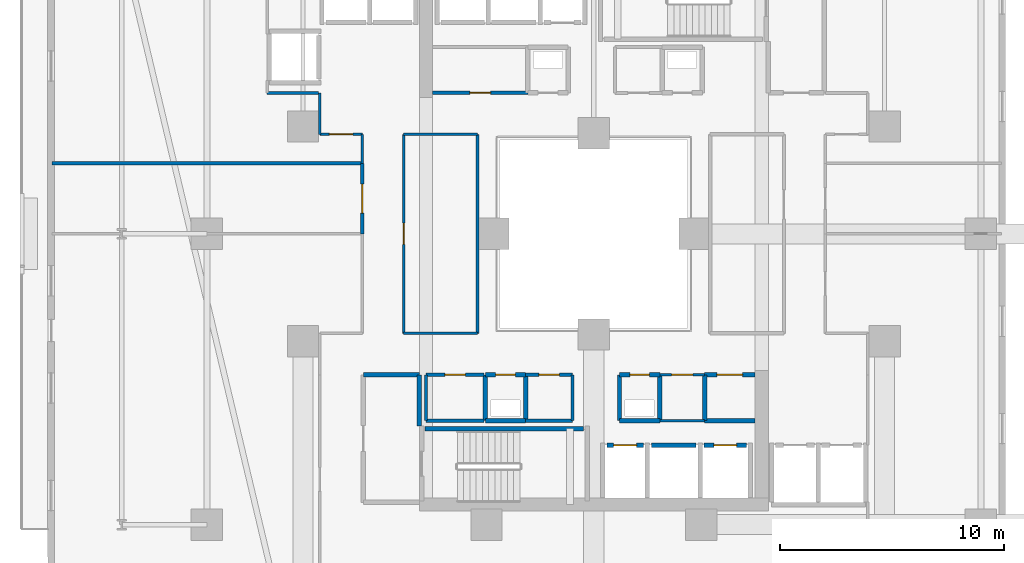
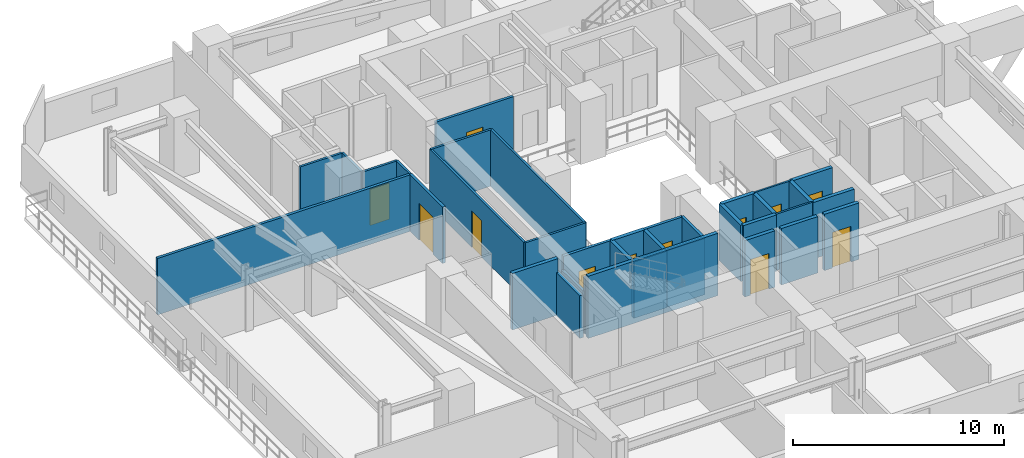
# One storey, part 22 of 36: 36 walls, 12 doors, 12 openings.
"""IFC4 building model written with IfcOpenShell, lengths in metres."""

from ifc_helpers import new_model, si_unit, direction, frame, frame_2d, origin, place, context, subcontext, project, spatial, rectangle, extrude, material, layer, layer_set, type_object, element, fill, save


model = new_model("IFC4")

# Units and contexts
model_context = context("Model", 3, precision=1e-05, world=origin(), true_north=direction((0.0, 1.0)))
body_context = subcontext(model_context, "Body", "Model", "MODEL_VIEW")
ifc_project = project(units=[si_unit("LENGTHUNIT", "METRE"), si_unit("AREAUNIT", "SQUARE_METRE"), si_unit("VOLUMEUNIT", "CUBIC_METRE"), si_unit("PLANEANGLEUNIT", "RADIAN"), si_unit("MASSUNIT", "GRAM", prefix="KILO")], contexts=[model_context])

# Site, building, storey
site_placement = place(None, origin())
site = spatial("IfcSite", under=ifc_project, at=site_placement, CompositionType="ELEMENT")
building_placement = place(site_placement, origin())
building = spatial("IfcBuilding", under=site, at=building_placement, Name="Thornwick Lancets Civic Towers", CompositionType="ELEMENT")
storey_placement = place(building_placement, frame((0.0, 0.0, 45.89990234375)))
storey = spatial("IfcBuildingStorey", under=building, at=storey_placement, Name="L11", CompositionType="ELEMENT", Elevation=45.89990234375)

# Wall, opening, door
ifc_material_1 = material(Name="Concrete blockwork C40/50", Category="masonry")
ifc_layer_1 = layer(ifc_material_1, 0.199951171875, Name="Concrete blockwork C40/50")
ifc_layer_set_1 = layer_set([ifc_layer_1], Name="Concrete blockwork C40/50")
wall_type_1 = type_object("IfcWallType", Name="WALL_COMP_200", PredefinedType="STANDARD", material=ifc_layer_set_1)
wall_1_placement = place(storey_placement, frame((26.080078125, 17.550048828125, 0.0), z_axis=(0.0, 0.0, 1.0), x_axis=(1.0, 0.0, 0.0)))
wall_1 = element("IfcWall", 1, at=wall_1_placement, inside=storey, type_object=wall_type_1, Name="L11 Hoistway Front Wall FL-A1", PredefinedType="STANDARD", context=body_context, shape_type="SweptSolid", body=[
    extrude(rectangle(XDim=1.639892578125, YDim=0.199951171875, at=frame_2d((0.81982421875, 0.0))), origin(), (0.0, 0.0, 1.0), 3.260009765625),
])
opening_1_placement = place(wall_1_placement, frame((0.31005859375, 0.0, 0.0)))
opening_1 = element("IfcOpeningElement", 2, at=opening_1_placement, cuts=wall_1, Name="Opening LD-FL-A1", PredefinedType="OPENING", context=body_context, shape_type="SweptSolid", body=[
    extrude(rectangle(XDim=1.02001953125, YDim=2.06005859375, at=frame_2d((0.510009765625, 1.030029296875))), frame((0.0, 0.10986328125, 0.0), z_axis=(0.0, -1.0, 0.0), x_axis=(1.0, 0.0, 0.0)), (0.0, 0.0, 1.0), 0.219970703125),
])
ifc_material_2 = material(Name="Brushed bronze stainless steel", Category="steel")
door_type_1 = type_object("IfcDoorType", Name="DOOR_LIFT_SLIDE", OperationType="SLIDING_TO_LEFT", PredefinedType="DOOR", material=ifc_material_2)
door_1_placement = place(opening_1_placement, origin())
door_1 = element("IfcDoor", 3, at=door_1_placement, inside=storey, type_object=door_type_1, Name="L11 Sliding Lift Landing Door LD-FL-A1", OperationType="SLIDING_TO_LEFT", OverallHeight=2.06005859375, OverallWidth=1.02001953125, PredefinedType="DOOR", context=body_context, shape_type="SweptSolid", body=[
    extrude(rectangle(XDim=1.02001953125, YDim=2.06005859375, at=frame_2d((0.510009765625, 1.030029296875))), frame((0.0, 0.02490234375, 0.0), z_axis=(0.0, -1.0, 0.0), x_axis=(1.0, 0.0, 0.0)), (0.0, 0.0, 1.0), 0.050048828125),
])
fill(opening_1, door_1)

# Wall
wall_2_placement = place(storey_placement, frame((28.080078125, 17.550048828125, 0.0), z_axis=(0.0, 0.0, 1.0), x_axis=(1.0, 0.0, 0.0)))
element("IfcWall", 4, at=wall_2_placement, inside=storey, type_object=wall_type_1, Name="L11 Hoistway Front Wall PL-AH1", PredefinedType="STANDARD", context=body_context, shape_type="SweptSolid", body=[
    extrude(rectangle(XDim=1.989990234375, YDim=0.199951171875, at=frame_2d((0.9951171875, 0.0))), origin(), (0.0, 0.0, 1.0), 3.260009765625),
])

# Wall, opening, door
wall_3_placement = place(storey_placement, frame((30.429931640625, 17.550048828125, 0.0), z_axis=(0.0, 0.0, 1.0), x_axis=(1.0, 0.0, 0.0)))
wall_3 = element("IfcWall", 5, at=wall_3_placement, inside=storey, type_object=wall_type_1, Name="L11 Hoistway Front Wall PL-AL1", PredefinedType="STANDARD", context=body_context, shape_type="SweptSolid", body=[
    extrude(rectangle(XDim=1.89013671875, YDim=0.199951171875, at=frame_2d((0.945068359375, 0.0))), origin(), (0.0, 0.0, 1.0), 3.260009765625),
])
opening_2_placement = place(wall_3_placement, frame((0.43505859375, 0.0, 0.0)))
opening_2 = element("IfcOpeningElement", 6, at=opening_2_placement, cuts=wall_3, Name="Opening LD-PL-AL1", PredefinedType="OPENING", context=body_context, shape_type="SweptSolid", body=[
    extrude(rectangle(XDim=1.02001953125, YDim=2.06005859375, at=frame_2d((0.510009765625, 1.030029296875))), frame((0.0, 0.10986328125, 0.0), z_axis=(0.0, -1.0, 0.0), x_axis=(1.0, 0.0, 0.0)), (0.0, 0.0, 1.0), 0.219970703125),
])
door_2_placement = place(opening_2_placement, origin())
door_2 = element("IfcDoor", 7, at=door_2_placement, inside=storey, type_object=door_type_1, Name="L11 Sliding Lift Landing Door LD-PL-AL1", OperationType="SLIDING_TO_LEFT", OverallHeight=2.06005859375, OverallWidth=1.02001953125, PredefinedType="DOOR", context=body_context, shape_type="SweptSolid", body=[
    extrude(rectangle(XDim=1.02001953125, YDim=2.06005859375, at=frame_2d((0.510009765625, 1.030029296875))), frame((0.0, 0.02490234375, 0.0), z_axis=(0.0, -1.0, 0.0), x_axis=(1.0, 0.0, 0.0)), (0.0, 0.0, 1.0), 0.050048828125),
])
fill(opening_2, door_2)

# Walls
wall_4_placement = place(storey_placement, frame((17.699951171875, 18.39990234375, 0.0), z_axis=(0.0, 0.0, 1.0), x_axis=(0.0, 1.0, 0.0)))
element("IfcWall", 8, at=wall_4_placement, inside=storey, type_object=wall_type_1, Name="L11 Partition L11-A-FFLOB1 E2", PredefinedType="STANDARD", context=body_context, shape_type="SweptSolid", body=[
    extrude(rectangle(XDim=2.300048828125, YDim=0.199951171875, at=frame_2d((1.14990234375, 0.0))), origin(), (0.0, 0.0, 1.0), 2.465087890625),
])
wall_5_placement = place(storey_placement, frame((17.699951171875, 20.699951171875, 0.0), z_axis=(0.0, 0.0, 1.0), x_axis=(-1.0, 0.0, 0.0)))
element("IfcWall", 9, at=wall_5_placement, inside=storey, type_object=wall_type_1, Name="L11 Partition L11-A-FFLOB1 E3", PredefinedType="STANDARD", context=body_context, shape_type="SweptSolid", body=[
    extrude(rectangle(XDim=2.5, YDim=0.199951171875, at=frame_2d((1.25, 0.0))), origin(), (0.0, 0.0, 1.0), 3.260009765625),
])
wall_6_placement = place(storey_placement, frame((26.64990234375, 18.64990234375, 0.0), z_axis=(0.0, 0.0, 1.0), x_axis=(1.0, 0.0, 0.0)))
element("IfcWall", 10, at=wall_6_placement, inside=storey, type_object=wall_type_1, Name="L11 Partition L11-A-DUCT1 E1", PredefinedType="STANDARD", context=body_context, shape_type="SweptSolid", body=[
    extrude(rectangle(XDim=1.800048828125, YDim=0.199951171875, at=frame_2d((0.89990234375, 0.0))), origin(), (0.0, 0.0, 1.0), 3.260009765625),
])
wall_7_placement = place(storey_placement, frame((28.449951171875, 18.64990234375, 0.0), z_axis=(0.0, 0.0, 1.0), x_axis=(0.0, 1.0, 0.0)))
element("IfcWall", 11, at=wall_7_placement, inside=storey, type_object=wall_type_1, Name="L11 Partition L11-A-DUCT1 E2", PredefinedType="STANDARD", context=body_context, shape_type="SweptSolid", body=[
    extrude(rectangle(XDim=2.050048828125, YDim=0.199951171875, at=frame_2d((1.02490234375, 0.0))), origin(), (0.0, 0.0, 1.0), 3.260009765625),
])

# Wall, opening, door
wall_8_placement = place(storey_placement, frame((28.449951171875, 20.699951171875, 0.0), z_axis=(0.0, 0.0, 1.0), x_axis=(-1.0, 0.0, 0.0)))
wall_8 = element("IfcWall", 12, at=wall_8_placement, inside=storey, type_object=wall_type_1, Name="L11 Partition L11-A-DUCT1 E3", PredefinedType="STANDARD", context=body_context, shape_type="SweptSolid", body=[
    extrude(rectangle(XDim=1.800048828125, YDim=0.199951171875, at=frame_2d((0.89990234375, 0.0))), origin(), (0.0, 0.0, 1.0), 3.260009765625),
])
opening_3_placement = place(wall_8_placement, frame((0.4599609375, 0.0, 0.0)))
opening_3 = element("IfcOpeningElement", 13, at=opening_3_placement, cuts=wall_8, Name="Opening D-L11-0539", PredefinedType="OPENING", context=body_context, shape_type="SweptSolid", body=[
    extrude(rectangle(XDim=0.8798828125, YDim=2.0400390625, at=frame_2d((0.43994140625, 1.02001953125))), frame((0.0, 0.10986328125, 0.0), z_axis=(0.0, -1.0, 0.0), x_axis=(1.0, 0.0, 0.0)), (0.0, 0.0, 1.0), 0.219970703125),
])
ifc_material_3 = material(Name="Steel riser access doorset", Category="steel")
door_type_2 = type_object("IfcDoorType", Name="DOOR_RISER_850", OperationType="NOTDEFINED", PredefinedType="DOOR", material=ifc_material_3)
door_3_placement = place(opening_3_placement, origin())
door_3 = element("IfcDoor", 14, at=door_3_placement, inside=storey, type_object=door_type_2, Name="L11 South Service Duct 1 Door", OperationType="SINGLE_SWING_RIGHT", OverallHeight=2.0400390625, OverallWidth=0.8798828125, PredefinedType="DOOR", context=body_context, shape_type="SweptSolid", body=[
    extrude(rectangle(XDim=0.8798828125, YDim=2.0400390625, at=frame_2d((0.43994140625, 1.02001953125))), frame((0.0, 0.02490234375, 0.0), z_axis=(0.0, -1.0, 0.0), x_axis=(1.0, 0.0, 0.0)), (0.0, 0.0, 1.0), 0.050048828125),
])
fill(opening_3, door_3)

# Walls
wall_9_placement = place(storey_placement, frame((26.64990234375, 20.699951171875, 0.0), z_axis=(0.0, 0.0, 1.0), x_axis=(0.0, -1.0, 0.0)))
element("IfcWall", 15, at=wall_9_placement, inside=storey, type_object=wall_type_1, Name="L11 Partition L11-A-DUCT1 E4", PredefinedType="STANDARD", context=body_context, shape_type="SweptSolid", body=[
    extrude(rectangle(XDim=2.050048828125, YDim=0.199951171875, at=frame_2d((1.02490234375, 0.0))), origin(), (0.0, 0.0, 1.0), 3.260009765625),
])
wall_10_placement = place(storey_placement, frame((20.64990234375, 18.64990234375, 0.0), z_axis=(0.0, 0.0, 1.0), x_axis=(1.0, 0.0, 0.0)))
element("IfcWall", 16, at=wall_10_placement, inside=storey, type_object=wall_type_1, Name="L11 Partition L11-A-RISER1 E1", PredefinedType="STANDARD", context=body_context, shape_type="SweptSolid", body=[
    extrude(rectangle(XDim=1.800048828125, YDim=0.199951171875, at=frame_2d((0.89990234375, 0.0))), origin(), (0.0, 0.0, 1.0), 3.260009765625),
])
wall_11_placement = place(storey_placement, frame((22.449951171875, 18.64990234375, 0.0), z_axis=(0.0, 0.0, 1.0), x_axis=(0.0, 1.0, 0.0)))
element("IfcWall", 17, at=wall_11_placement, inside=storey, type_object=wall_type_1, Name="L11 Partition L11-A-RISER1 E2", PredefinedType="STANDARD", context=body_context, shape_type="SweptSolid", body=[
    extrude(rectangle(XDim=2.050048828125, YDim=0.199951171875, at=frame_2d((1.02490234375, 0.0))), origin(), (0.0, 0.0, 1.0), 3.260009765625),
])

# Wall, opening, door
wall_12_placement = place(storey_placement, frame((22.449951171875, 20.699951171875, 0.0), z_axis=(0.0, 0.0, 1.0), x_axis=(-1.0, 0.0, 0.0)))
wall_12 = element("IfcWall", 18, at=wall_12_placement, inside=storey, type_object=wall_type_1, Name="L11 Partition L11-A-RISER1 E3", PredefinedType="STANDARD", context=body_context, shape_type="SweptSolid", body=[
    extrude(rectangle(XDim=1.800048828125, YDim=0.199951171875, at=frame_2d((0.89990234375, 0.0))), origin(), (0.0, 0.0, 1.0), 3.260009765625),
])
opening_4_placement = place(wall_12_placement, frame((0.4599609375, 0.0, 0.0)))
opening_4 = element("IfcOpeningElement", 19, at=opening_4_placement, cuts=wall_12, Name="Opening D-L11-0540", PredefinedType="OPENING", context=body_context, shape_type="SweptSolid", body=[
    extrude(rectangle(XDim=0.8798828125, YDim=2.0400390625, at=frame_2d((0.43994140625, 1.02001953125))), frame((0.0, 0.10986328125, 0.0), z_axis=(0.0, -1.0, 0.0), x_axis=(1.0, 0.0, 0.0)), (0.0, 0.0, 1.0), 0.219970703125),
])
door_4_placement = place(opening_4_placement, origin())
door_4 = element("IfcDoor", 20, at=door_4_placement, inside=storey, type_object=door_type_2, Name="L11 South Electrical Riser 1 Door", OperationType="SINGLE_SWING_LEFT", OverallHeight=2.0400390625, OverallWidth=0.8798828125, PredefinedType="DOOR", context=body_context, shape_type="SweptSolid", body=[
    extrude(rectangle(XDim=0.8798828125, YDim=2.0400390625, at=frame_2d((0.43994140625, 1.02001953125))), frame((0.0, 0.02490234375, 0.0), z_axis=(0.0, -1.0, 0.0), x_axis=(1.0, 0.0, 0.0)), (0.0, 0.0, 1.0), 0.050048828125),
])
fill(opening_4, door_4)

# Walls
wall_13_placement = place(storey_placement, frame((20.64990234375, 20.699951171875, 0.0), z_axis=(0.0, 0.0, 1.0), x_axis=(0.0, -1.0, 0.0)))
element("IfcWall", 21, at=wall_13_placement, inside=storey, type_object=wall_type_1, Name="L11 Partition L11-A-RISER1 E4", PredefinedType="STANDARD", context=body_context, shape_type="SweptSolid", body=[
    extrude(rectangle(XDim=2.050048828125, YDim=0.199951171875, at=frame_2d((1.02490234375, 0.0))), origin(), (0.0, 0.0, 1.0), 3.260009765625),
])
wall_14_placement = place(storey_placement, frame((32.699951171875, 18.64990234375, 0.0), z_axis=(0.0, 0.0, 1.0), x_axis=(-1.0, 0.0, 0.0)))
element("IfcWall", 22, at=wall_14_placement, inside=storey, type_object=wall_type_1, Name="L11 Partition L11-A-ITR2 E2", PredefinedType="STANDARD", context=body_context, shape_type="SweptSolid", body=[
    extrude(rectangle(XDim=2.25, YDim=0.199951171875, at=frame_2d((1.125, 0.0))), origin(), (0.0, 0.0, 1.0), 3.260009765625),
])
wall_15_placement = place(storey_placement, frame((30.449951171875, 18.64990234375, 0.0), z_axis=(0.0, 0.0, 1.0), x_axis=(0.0, 1.0, 0.0)))
element("IfcWall", 23, at=wall_15_placement, inside=storey, type_object=wall_type_1, Name="L11 Partition L11-A-ITR2 E3", PredefinedType="STANDARD", context=body_context, shape_type="SweptSolid", body=[
    extrude(rectangle(XDim=2.050048828125, YDim=0.199951171875, at=frame_2d((1.02490234375, 0.0))), origin(), (0.0, 0.0, 1.0), 3.260009765625),
])

# Wall, opening, door
wall_16_placement = place(storey_placement, frame((30.449951171875, 20.699951171875, 0.0), z_axis=(0.0, 0.0, 1.0), x_axis=(1.0, 0.0, 0.0)))
wall_16 = element("IfcWall", 24, at=wall_16_placement, inside=storey, type_object=wall_type_1, Name="L11 Partition L11-A-ITR2 E4", PredefinedType="STANDARD", context=body_context, shape_type="SweptSolid", body=[
    extrude(rectangle(XDim=2.25, YDim=0.199951171875, at=frame_2d((1.125, 0.0))), origin(), (0.0, 0.0, 1.0), 3.260009765625),
])
opening_5_placement = place(wall_16_placement, frame((0.550048828125, 0.0, 0.0)))
opening_5 = element("IfcOpeningElement", 25, at=opening_5_placement, cuts=wall_16, Name="Opening D-L11-0546", PredefinedType="OPENING", context=body_context, shape_type="SweptSolid", body=[
    extrude(rectangle(XDim=1.14990234375, YDim=2.10009765625, at=frame_2d((0.574951171875, 1.050048828125))), frame((0.0, 0.10986328125, 0.0), z_axis=(0.0, -1.0, 0.0), x_axis=(1.0, 0.0, 0.0)), (0.0, 0.0, 1.0), 0.219970703125),
])
ifc_material_4 = material(Name="Glazed fire-resisting steel", Category="steel")
door_type_3 = type_object("IfcDoorType", Name="DOOR_LOBBY_FD60", OperationType="NOTDEFINED", PredefinedType="DOOR", material=ifc_material_4)
door_5_placement = place(opening_5_placement, origin())
door_5 = element("IfcDoor", 26, at=door_5_placement, inside=storey, type_object=door_type_3, Name="L11 Tower A Statutory Core Archive Door", OperationType="SINGLE_SWING_LEFT", OverallHeight=2.10009765625, OverallWidth=1.14990234375, PredefinedType="DOOR", context=body_context, shape_type="SweptSolid", body=[
    extrude(rectangle(XDim=1.14990234375, YDim=2.10009765625, at=frame_2d((0.574951171875, 1.050048828125))), frame((0.0, 0.02490234375, 0.0), z_axis=(0.0, -1.0, 0.0), x_axis=(1.0, 0.0, 0.0)), (0.0, 0.0, 1.0), 0.050048828125),
])
fill(opening_5, door_5)

# Wall
ifc_material_5 = material(Name="Lightweight cellular office partition")
ifc_layer_2 = layer(ifc_material_5, 0.10009765625, Name="Lightweight cellular office partition")
ifc_layer_set_2 = layer_set([ifc_layer_2], Name="Lightweight cellular office partition")
wall_type_2 = type_object("IfcWallType", Name="WALL_PART_100", PredefinedType="PARTITIONING", material=ifc_layer_set_2)
wall_17_placement = place(storey_placement, frame((30.449951171875, 18.64990234375, 0.0), z_axis=(0.0, 0.0, 1.0), x_axis=(-1.0, 0.0, 0.0)))
element("IfcWall", 27, at=wall_17_placement, inside=storey, type_object=wall_type_2, Name="L11 Partition L11-A-CLN E2", PredefinedType="PARTITIONING", context=body_context, shape_type="SweptSolid", body=[
    extrude(rectangle(XDim=2.0, YDim=0.10009765625, at=frame_2d((1.0, 0.0))), origin(), (0.0, 0.0, 1.0), 3.260009765625),
])

# Wall, opening, door
wall_18_placement = place(storey_placement, frame((28.449951171875, 20.699951171875, 0.0), z_axis=(0.0, 0.0, 1.0), x_axis=(1.0, 0.0, 0.0)))
wall_18 = element("IfcWall", 28, at=wall_18_placement, inside=storey, type_object=wall_type_2, Name="L11 Partition L11-A-CLN E4", PredefinedType="PARTITIONING", context=body_context, shape_type="SweptSolid", body=[
    extrude(rectangle(XDim=2.0, YDim=0.10009765625, at=frame_2d((1.0, 0.0))), origin(), (0.0, 0.0, 1.0), 3.260009765625),
])
opening_6_placement = place(wall_18_placement, frame((0.52490234375, 0.0, 0.0)))
opening_6 = element("IfcOpeningElement", 29, at=opening_6_placement, cuts=wall_18, Name="Opening D-L11-0545", PredefinedType="OPENING", context=body_context, shape_type="SweptSolid", body=[
    extrude(rectangle(XDim=0.949951171875, YDim=2.10009765625, at=frame_2d((0.47509765625, 1.050048828125))), frame((0.0, 0.06005859375, 0.0), z_axis=(0.0, -1.0, 0.0), x_axis=(1.0, 0.0, 0.0)), (0.0, 0.0, 1.0), 0.1201171875),
])
ifc_material_6 = material(Name="European oak acoustic doorset")
door_type_4 = type_object("IfcDoorType", Name="DOOR_OFFICE_950", OperationType="NOTDEFINED", PredefinedType="DOOR", material=ifc_material_6)
door_6_placement = place(opening_6_placement, origin())
door_6 = element("IfcDoor", 30, at=door_6_placement, inside=storey, type_object=door_type_4, Name="L11 Tower A Cleaners Store Door", OperationType="SINGLE_SWING_RIGHT", OverallHeight=2.10009765625, OverallWidth=0.949951171875, PredefinedType="DOOR", context=body_context, shape_type="SweptSolid", body=[
    extrude(rectangle(XDim=0.949951171875, YDim=2.10009765625, at=frame_2d((0.47509765625, 1.050048828125))), frame((0.0, 0.02490234375, 0.0), z_axis=(0.0, -1.0, 0.0), x_axis=(1.0, 0.0, 0.0)), (0.0, 0.0, 1.0), 0.050048828125),
])
fill(opening_6, door_6)

# Wall
ifc_material_7 = material(Name="Acoustic gypsum board partition")
ifc_layer_3 = layer(ifc_material_7, 0.1201171875, Name="Acoustic gypsum board partition")
ifc_layer_set_3 = layer_set([ifc_layer_3], Name="Acoustic gypsum board partition")
wall_type_3 = type_object("IfcWallType", Name="WALL_PART_120", PredefinedType="PARTITIONING", material=ifc_layer_set_3)
wall_19_placement = place(storey_placement, frame((13.25, 33.300048828125, 0.0), z_axis=(0.0, 0.0, 1.0), x_axis=(0.0, -1.0, 0.0)))
element("IfcWall", 31, at=wall_19_placement, inside=storey, type_object=wall_type_3, Name="L11 Partition L11-A-W3 E2", PredefinedType="PARTITIONING", context=body_context, shape_type="SweptSolid", body=[
    extrude(rectangle(XDim=1.85009765625, YDim=0.1201171875, at=frame_2d((0.925048828125, 0.0))), origin(), (0.0, 0.0, 1.0), 3.260009765625),
])

# Wall, opening, door
wall_20_placement = place(storey_placement, frame((13.25, 31.449951171875, 0.0), z_axis=(0.0, 0.0, 1.0), x_axis=(1.0, 0.0, 0.0)))
wall_20 = element("IfcWall", 32, at=wall_20_placement, inside=storey, type_object=wall_type_3, Name="L11 Partition L11-A-W3 E3", PredefinedType="PARTITIONING", context=body_context, shape_type="SweptSolid", body=[
    extrude(rectangle(XDim=1.89990234375, YDim=0.1201171875, at=frame_2d((0.949951171875, 0.0))), origin(), (0.0, 0.0, 1.0), 3.260009765625),
])
opening_7_placement = place(wall_20_placement, frame((0.425048828125, 0.0, 0.0)))
opening_7 = element("IfcOpeningElement", 33, at=opening_7_placement, cuts=wall_20, Name="Opening D-L11-0563", PredefinedType="OPENING", context=body_context, shape_type="SweptSolid", body=[
    extrude(rectangle(XDim=1.050048828125, YDim=2.10009765625, at=frame_2d((0.52490234375, 1.050048828125))), frame((0.0, 0.070068359375, 0.0), z_axis=(0.0, -1.0, 0.0), x_axis=(1.0, 0.0, 0.0)), (0.0, 0.0, 1.0), 0.14013671875),
])
ifc_material_8 = material(Name="Glazed European oak executive doorset")
door_type_5 = type_object("IfcDoorType", Name="DOOR_OFFICE_1050", OperationType="NOTDEFINED", PredefinedType="DOOR", material=ifc_material_8)
door_7_placement = place(opening_7_placement, origin())
door_7 = element("IfcDoor", 34, at=door_7_placement, inside=storey, type_object=door_type_5, Name="L11 Tower A Staff Tea Pantry and Lounge Door", OperationType="SINGLE_SWING_RIGHT", OverallHeight=2.10009765625, OverallWidth=1.050048828125, PredefinedType="DOOR", context=body_context, shape_type="SweptSolid", body=[
    extrude(rectangle(XDim=1.050048828125, YDim=2.10009765625, at=frame_2d((0.52490234375, 1.050048828125))), frame((0.0, 0.02490234375, 0.0), z_axis=(0.0, -1.0, 0.0), x_axis=(1.0, 0.0, 0.0)), (0.0, 0.0, 1.0), 0.050048828125),
])
fill(opening_7, door_7)

# Walls
wall_21_placement = place(storey_placement, frame((15.14990234375, 31.449951171875, 0.0), z_axis=(0.0, 0.0, 1.0), x_axis=(0.0, -1.0, 0.0)))
element("IfcWall", 35, at=wall_21_placement, inside=storey, type_object=wall_type_3, Name="L11 Partition L11-A-W3 E4", PredefinedType="PARTITIONING", context=body_context, shape_type="SweptSolid", body=[
    extrude(rectangle(XDim=1.300048828125, YDim=0.1201171875, at=frame_2d((0.64990234375, 0.0))), origin(), (0.0, 0.0, 1.0), 3.260009765625),
])
wall_22_placement = place(storey_placement, frame((10.89990234375, 33.300048828125, 0.0), z_axis=(0.0, 0.0, 1.0), x_axis=(1.0, 0.0, 0.0)))
element("IfcWall", 36, at=wall_22_placement, inside=storey, type_object=wall_type_3, Name="L11 Partition L11-A-W3 E10", PredefinedType="PARTITIONING", context=body_context, shape_type="SweptSolid", body=[
    extrude(rectangle(XDim=2.300048828125, YDim=0.1201171875, at=frame_2d((1.14990234375, 0.0))), origin(), (0.0, 0.0, 1.0), 3.260009765625),
])

# Wall, opening, door
wall_23_placement = place(storey_placement, frame((17.0, 22.550048828125, 0.0), z_axis=(0.0, 0.0, 1.0), x_axis=(0.0, 1.0, 0.0)))
wall_23 = element("IfcWall", 37, at=wall_23_placement, inside=storey, type_object=wall_type_3, Name="L11 Partition L11-A-ATR-W E1", PredefinedType="PARTITIONING", context=body_context, shape_type="SweptSolid", body=[
    extrude(rectangle(XDim=8.89990234375, YDim=0.1201171875, at=frame_2d((4.449951171875, 0.0))), origin(), (0.0, 0.0, 1.0), 3.260009765625),
])
opening_8_placement = place(wall_23_placement, frame((3.97509765625, 0.0, 0.0)))
opening_8 = element("IfcOpeningElement", 38, at=opening_8_placement, cuts=wall_23, Name="Opening D-L11-0568", PredefinedType="OPENING", context=body_context, shape_type="SweptSolid", body=[
    extrude(rectangle(XDim=0.949951171875, YDim=2.10009765625, at=frame_2d((0.47509765625, 1.050048828125))), frame((0.0, 0.070068359375, 0.0), z_axis=(0.0, -1.0, 0.0), x_axis=(1.0, 0.0, 0.0)), (0.0, 0.0, 1.0), 0.14013671875),
])
door_8_placement = place(opening_8_placement, origin())
door_8 = element("IfcDoor", 39, at=door_8_placement, inside=storey, type_object=door_type_4, Name="L11 Tower A West Atrium Study Lounge Door", OperationType="SINGLE_SWING_LEFT", OverallHeight=2.10009765625, OverallWidth=0.949951171875, PredefinedType="DOOR", context=body_context, shape_type="SweptSolid", body=[
    extrude(rectangle(XDim=0.949951171875, YDim=2.10009765625, at=frame_2d((0.47509765625, 1.050048828125))), frame((0.0, 0.02490234375, 0.0), z_axis=(0.0, -1.0, 0.0), x_axis=(1.0, 0.0, 0.0)), (0.0, 0.0, 1.0), 0.050048828125),
])
fill(opening_8, door_8)

# Walls
wall_24_placement = place(storey_placement, frame((17.0, 31.449951171875, 0.0), z_axis=(0.0, 0.0, 1.0), x_axis=(1.0, 0.0, 0.0)))
element("IfcWall", 40, at=wall_24_placement, inside=storey, type_object=wall_type_3, Name="L11 Partition L11-A-ATR-W E2", PredefinedType="PARTITIONING", context=body_context, shape_type="SweptSolid", body=[
    extrude(rectangle(XDim=3.300048828125, YDim=0.1201171875, at=frame_2d((1.64990234375, 0.0))), origin(), (0.0, 0.0, 1.0), 3.260009765625),
])
wall_25_placement = place(storey_placement, frame((20.300048828125, 31.449951171875, 0.0), z_axis=(0.0, 0.0, 1.0), x_axis=(0.0, -1.0, 0.0)))
element("IfcWall", 41, at=wall_25_placement, inside=storey, type_object=wall_type_3, Name="L11 Partition L11-A-ATR-W E3", PredefinedType="PARTITIONING", context=body_context, shape_type="SweptSolid", body=[
    extrude(rectangle(XDim=8.89990234375, YDim=0.1201171875, at=frame_2d((4.449951171875, 0.0))), origin(), (0.0, 0.0, 1.0), 3.260009765625),
])
wall_26_placement = place(storey_placement, frame((20.300048828125, 22.550048828125, 0.0), z_axis=(0.0, 0.0, 1.0), x_axis=(-1.0, 0.0, 0.0)))
element("IfcWall", 42, at=wall_26_placement, inside=storey, type_object=wall_type_3, Name="L11 Partition L11-A-ATR-W E4", PredefinedType="PARTITIONING", context=body_context, shape_type="SweptSolid", body=[
    extrude(rectangle(XDim=3.300048828125, YDim=0.1201171875, at=frame_2d((1.64990234375, 0.0))), origin(), (0.0, 0.0, 1.0), 3.260009765625),
])
ifc_material_9 = material(Name="Twin-stud acoustic gypsum board")
ifc_layer_4 = layer(ifc_material_9, 0.14990234375, Name="Twin-stud acoustic gypsum board")
ifc_layer_set_4 = layer_set([ifc_layer_4], Name="Twin-stud acoustic gypsum board")
wall_type_4 = type_object("IfcWallType", Name="WALL_PART_150", PredefinedType="PARTITIONING", material=ifc_layer_set_4)
wall_27_placement = place(storey_placement, frame((18.0, 18.64990234375, 0.0), z_axis=(0.0, 0.0, 1.0), x_axis=(1.0, 0.0, 0.0)))
element("IfcWall", 43, at=wall_27_placement, inside=storey, type_object=wall_type_4, Name="L11 Partition L11-A-MWC E1", PredefinedType="PARTITIONING", context=body_context, shape_type="SweptSolid", body=[
    extrude(rectangle(XDim=2.60009765625, YDim=0.14990234375, at=frame_2d((1.300048828125, 0.0))), origin(), (0.0, 0.0, 1.0), 3.260009765625),
])

# Wall, opening, door
wall_28_placement = place(storey_placement, frame((20.60009765625, 20.699951171875, 0.0), z_axis=(0.0, 0.0, 1.0), x_axis=(-1.0, 0.0, 0.0)))
wall_28 = element("IfcWall", 44, at=wall_28_placement, inside=storey, type_object=wall_type_4, Name="L11 Partition L11-A-MWC E3", PredefinedType="PARTITIONING", context=body_context, shape_type="SweptSolid", body=[
    extrude(rectangle(XDim=2.60009765625, YDim=0.14990234375, at=frame_2d((1.300048828125, 0.0))), origin(), (0.0, 0.0, 1.0), 3.260009765625),
])
opening_9_placement = place(wall_28_placement, frame((0.840087890625, 0.0, 0.0)))
opening_9 = element("IfcOpeningElement", 45, at=opening_9_placement, cuts=wall_28, Name="Opening D-L11-0543", PredefinedType="OPENING", context=body_context, shape_type="SweptSolid", body=[
    extrude(rectangle(XDim=0.919921875, YDim=2.080078125, at=frame_2d((0.4599609375, 1.0400390625))), frame((0.0, 0.0849609375, 0.0), z_axis=(0.0, -1.0, 0.0), x_axis=(1.0, 0.0, 0.0)), (0.0, 0.0, 1.0), 0.169921875),
])
ifc_material_10 = material(Name="Moisture-resistant oak doorset")
door_type_6 = type_object("IfcDoorType", Name="DOOR_WC_900", OperationType="NOTDEFINED", PredefinedType="DOOR", material=ifc_material_10)
door_9_placement = place(opening_9_placement, origin())
door_9 = element("IfcDoor", 46, at=door_9_placement, inside=storey, type_object=door_type_6, Name="L11 Tower A Male WC Door", OperationType="SINGLE_SWING_RIGHT", OverallHeight=2.080078125, OverallWidth=0.919921875, PredefinedType="DOOR", context=body_context, shape_type="SweptSolid", body=[
    extrude(rectangle(XDim=0.919921875, YDim=2.080078125, at=frame_2d((0.4599609375, 1.0400390625))), frame((0.0, 0.02490234375, 0.0), z_axis=(0.0, -1.0, 0.0), x_axis=(1.0, 0.0, 0.0)), (0.0, 0.0, 1.0), 0.050048828125),
])
fill(opening_9, door_9)

# Walls
wall_29_placement = place(storey_placement, frame((18.0, 20.699951171875, 0.0), z_axis=(0.0, 0.0, 1.0), x_axis=(0.0, -1.0, 0.0)))
element("IfcWall", 47, at=wall_29_placement, inside=storey, type_object=wall_type_4, Name="L11 Partition L11-A-MWC E4", PredefinedType="PARTITIONING", context=body_context, shape_type="SweptSolid", body=[
    extrude(rectangle(XDim=2.050048828125, YDim=0.14990234375, at=frame_2d((1.02490234375, 0.0))), origin(), (0.0, 0.0, 1.0), 2.465087890625),
])
wall_30_placement = place(storey_placement, frame((24.550048828125, 20.699951171875, 0.0), z_axis=(0.0, 0.0, 1.0), x_axis=(0.0, -1.0, 0.0)))
element("IfcWall", 48, at=wall_30_placement, inside=storey, type_object=wall_type_4, Name="L11 Partition L11-A-AWC E1", PredefinedType="PARTITIONING", context=body_context, shape_type="SweptSolid", body=[
    extrude(rectangle(XDim=2.050048828125, YDim=0.14990234375, at=frame_2d((1.02490234375, 0.0))), origin(), (0.0, 0.0, 1.0), 3.260009765625),
])
wall_31_placement = place(storey_placement, frame((24.550048828125, 18.64990234375, 0.0), z_axis=(0.0, 0.0, 1.0), x_axis=(-1.0, 0.0, 0.0)))
element("IfcWall", 49, at=wall_31_placement, inside=storey, type_object=wall_type_4, Name="L11 Partition L11-A-AWC E2", PredefinedType="PARTITIONING", context=body_context, shape_type="SweptSolid", body=[
    extrude(rectangle(XDim=2.10009765625, YDim=0.14990234375, at=frame_2d((1.050048828125, 0.0))), origin(), (0.0, 0.0, 1.0), 3.260009765625),
])

# Wall, opening, door
wall_32_placement = place(storey_placement, frame((22.449951171875, 20.699951171875, 0.0), z_axis=(0.0, 0.0, 1.0), x_axis=(1.0, 0.0, 0.0)))
wall_32 = element("IfcWall", 50, at=wall_32_placement, inside=storey, type_object=wall_type_4, Name="L11 Partition L11-A-AWC E4", PredefinedType="PARTITIONING", context=body_context, shape_type="SweptSolid", body=[
    extrude(rectangle(XDim=2.10009765625, YDim=0.14990234375, at=frame_2d((1.050048828125, 0.0))), origin(), (0.0, 0.0, 1.0), 3.260009765625),
])
opening_10_placement = place(wall_32_placement, frame((0.590087890625, 0.0, 0.0)))
opening_10 = element("IfcOpeningElement", 51, at=opening_10_placement, cuts=wall_32, Name="Opening D-L11-0544", PredefinedType="OPENING", context=body_context, shape_type="SweptSolid", body=[
    extrude(rectangle(XDim=0.919921875, YDim=2.080078125, at=frame_2d((0.4599609375, 1.0400390625))), frame((0.0, 0.0849609375, 0.0), z_axis=(0.0, -1.0, 0.0), x_axis=(1.0, 0.0, 0.0)), (0.0, 0.0, 1.0), 0.169921875),
])
door_10_placement = place(opening_10_placement, origin())
door_10 = element("IfcDoor", 52, at=door_10_placement, inside=storey, type_object=door_type_6, Name="L11 Tower A Accessible WC Door", OperationType="SINGLE_SWING_LEFT", OverallHeight=2.080078125, OverallWidth=0.919921875, PredefinedType="DOOR", context=body_context, shape_type="SweptSolid", body=[
    extrude(rectangle(XDim=0.919921875, YDim=2.080078125, at=frame_2d((0.4599609375, 1.0400390625))), frame((0.0, 0.02490234375, 0.0), z_axis=(0.0, -1.0, 0.0), x_axis=(1.0, 0.0, 0.0)), (0.0, 0.0, 1.0), 0.050048828125),
])
fill(opening_10, door_10)

wall_33_placement = place(storey_placement, frame((22.550048828125, 33.300048828125, 0.0), z_axis=(0.0, 0.0, 1.0), x_axis=(-1.0, 0.0, 0.0)))
wall_33 = element("IfcWall", 53, at=wall_33_placement, inside=storey, type_object=wall_type_4, Name="L11 Partition L11-A-FWC E4", PredefinedType="PARTITIONING", context=body_context, shape_type="SweptSolid", body=[
    extrude(rectangle(XDim=4.25, YDim=0.14990234375, at=frame_2d((2.125, 0.0))), origin(), (0.0, 0.0, 1.0), 3.260009765625),
])
opening_11_placement = place(wall_33_placement, frame((1.6650390625, 0.0, 0.0)))
opening_11 = element("IfcOpeningElement", 54, at=opening_11_placement, cuts=wall_33, Name="Opening D-L11-0547", PredefinedType="OPENING", context=body_context, shape_type="SweptSolid", body=[
    extrude(rectangle(XDim=0.919921875, YDim=2.080078125, at=frame_2d((0.4599609375, 1.0400390625))), frame((0.0, 0.0849609375, 0.0), z_axis=(0.0, -1.0, 0.0), x_axis=(1.0, 0.0, 0.0)), (0.0, 0.0, 1.0), 0.169921875),
])
door_11_placement = place(opening_11_placement, origin())
door_11 = element("IfcDoor", 55, at=door_11_placement, inside=storey, type_object=door_type_6, Name="L11 Tower A Female WC Door", OperationType="SINGLE_SWING_RIGHT", OverallHeight=2.080078125, OverallWidth=0.919921875, PredefinedType="DOOR", context=body_context, shape_type="SweptSolid", body=[
    extrude(rectangle(XDim=0.919921875, YDim=2.080078125, at=frame_2d((0.4599609375, 1.0400390625))), frame((0.0, 0.02490234375, 0.0), z_axis=(0.0, -1.0, 0.0), x_axis=(1.0, 0.0, 0.0)), (0.0, 0.0, 1.0), 0.050048828125),
])
fill(opening_11, door_11)

# Wall
wall_34_placement = place(storey_placement, frame((1.280029296875, 30.14990234375, 0.0), z_axis=(0.0, 0.0, 1.0), x_axis=(1.0, 0.0, 0.0)))
element("IfcWall", 56, at=wall_34_placement, inside=storey, type_object=wall_type_4, Name="L11 Partition L11-A-W2 E3", PredefinedType="PARTITIONING", context=body_context, shape_type="SweptSolid", body=[
    extrude(rectangle(XDim=13.869873046875, YDim=0.14990234375, at=frame_2d((6.93505859375, 0.0))), origin(), (0.0, 0.0, 1.0), 3.260009765625),
])

# Wall, opening, door
wall_35_placement = place(storey_placement, frame((15.14990234375, 30.14990234375, 0.0), z_axis=(0.0, 0.0, 1.0), x_axis=(0.0, -1.0, 0.0)))
wall_35 = element("IfcWall", 57, at=wall_35_placement, inside=storey, type_object=wall_type_4, Name="L11 Partition L11-A-W2 E4", PredefinedType="PARTITIONING", context=body_context, shape_type="SweptSolid", body=[
    extrude(rectangle(XDim=3.14990234375, YDim=0.14990234375, at=frame_2d((1.574951171875, 0.0))), origin(), (0.0, 0.0, 1.0), 3.260009765625),
])
opening_12_placement = place(wall_35_placement, frame((0.925048828125, 0.0, 0.0)))
opening_12 = element("IfcOpeningElement", 58, at=opening_12_placement, cuts=wall_35, Name="Opening D-L11-0562", PredefinedType="OPENING", context=body_context, shape_type="SweptSolid", body=[
    extrude(rectangle(XDim=1.300048828125, YDim=2.1201171875, at=frame_2d((0.64990234375, 1.06005859375))), frame((0.0, 0.0849609375, 0.0), z_axis=(0.0, -1.0, 0.0), x_axis=(1.0, 0.0, 0.0)), (0.0, 0.0, 1.0), 0.169921875),
])
ifc_material_11 = material(Name="Acoustic oak leaf-and-a-half doorset")
door_type_7 = type_object("IfcDoorType", Name="DOOR_MEET_1300", OperationType="DOUBLE_DOOR_SINGLE_SWING", PredefinedType="DOOR", material=ifc_material_11)
door_12_placement = place(opening_12_placement, origin())
door_12 = element("IfcDoor", 59, at=door_12_placement, inside=storey, type_object=door_type_7, Name="L11 Tower A Policy Briefing Room W2 Door", OperationType="DOUBLE_DOOR_SINGLE_SWING", OverallHeight=2.1201171875, OverallWidth=1.300048828125, PredefinedType="DOOR", context=body_context, shape_type="SweptSolid", body=[
    extrude(rectangle(XDim=1.300048828125, YDim=2.1201171875, at=frame_2d((0.64990234375, 1.06005859375))), frame((0.0, 0.02490234375, 0.0), z_axis=(0.0, -1.0, 0.0), x_axis=(1.0, 0.0, 0.0)), (0.0, 0.0, 1.0), 0.050048828125),
])
fill(opening_12, door_12)

# Wall
ifc_material_12 = material(Name="Concrete C40/50", Category="concrete")
ifc_layer_5 = layer(ifc_material_12, 0.199951171875, Name="Concrete C40/50")
ifc_layer_set_5 = layer_set([ifc_layer_5], Name="Concrete C40/50")
wall_type_5 = type_object("IfcWallType", Name="WALL_SHAFT_200", PredefinedType="SHEAR", material=ifc_layer_set_5)
wall_36_placement = place(storey_placement, frame((25.050048828125, 18.297119140625, 0.0), z_axis=(0.0, 0.0, 1.0), x_axis=(-1.0, 0.0, 0.0)))
element("IfcWall", 60, at=wall_36_placement, inside=storey, type_object=wall_type_5, Name="L11 ST-A1 Fire Stair Core Wall RIGHT", PredefinedType="SHEAR", context=body_context, shape_type="SweptSolid", body=[
    extrude(rectangle(XDim=7.10009765625, YDim=0.199951171875, at=frame_2d((3.550048828125, 0.0))), origin(), (0.0, 0.0, 1.0), 3.60009765625),
])

save(model, "model.ifc")
